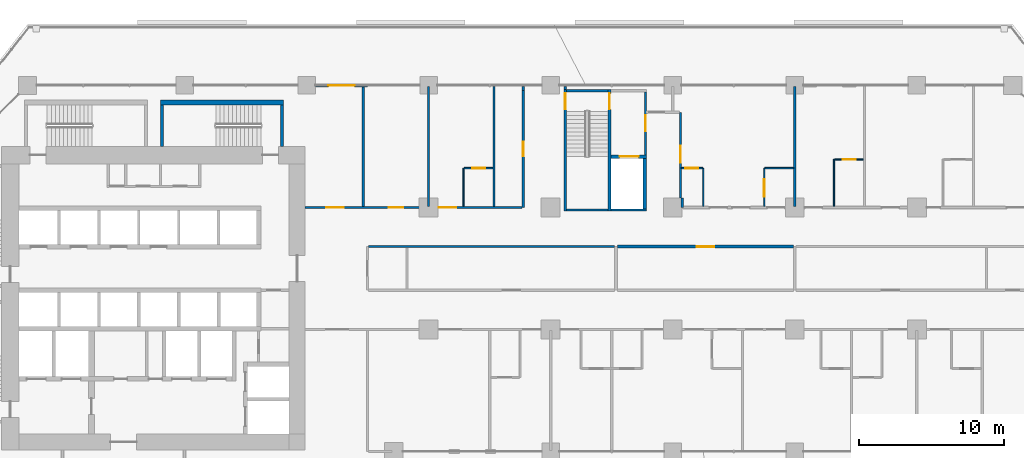
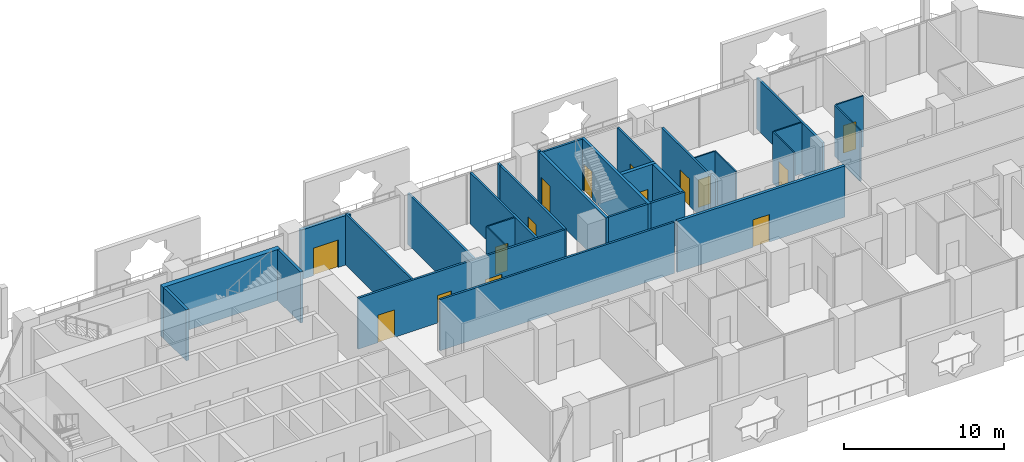
# One storey, part 18 of 26: 32 walls, 15 doors, 15 openings.
"""IFC4 building model written with IfcOpenShell, lengths in metres."""

from ifc_helpers import new_model, si_unit, direction, frame, frame_2d, origin, place, context, subcontext, project, spatial, rectangle, extrude, material, layer, layer_set, type_object, element, fill, save


model = new_model("IFC4")

# Units and contexts
model_context = context("Model", 3, precision=1e-05, world=origin(), true_north=direction((0.0, 1.0)))
body_context = subcontext(model_context, "Body", "Model", "MODEL_VIEW")
ifc_project = project(units=[si_unit("LENGTHUNIT", "METRE"), si_unit("AREAUNIT", "SQUARE_METRE"), si_unit("VOLUMEUNIT", "CUBIC_METRE"), si_unit("PLANEANGLEUNIT", "RADIAN"), si_unit("MASSUNIT", "GRAM", prefix="KILO")], contexts=[model_context])

# Site, building, storey
site_placement = place(None, origin())
site = spatial("IfcSite", under=ifc_project, at=site_placement, CompositionType="ELEMENT")
building_placement = place(site_placement, origin())
building = spatial("IfcBuilding", under=site, at=building_placement, Name="Kawkab Arch Medical Tower", CompositionType="ELEMENT")
storey_placement = place(building_placement, frame((0.0, 0.0, 51.800048828125)))
storey = spatial("IfcBuildingStorey", under=building, at=storey_placement, Name="L11", CompositionType="ELEMENT", Elevation=51.800048828125)

# Wall, opening, door
ifc_material_1 = material(Name="Gypsum board on steel studs", Category="steel")
ifc_layer_1 = layer(ifc_material_1, 0.14990234375)
ifc_layer_set_1 = layer_set([ifc_layer_1], Name="Gypsum board on steel studs")
wall_type_1 = type_object("IfcWallType", Name="Core room partition 150", PredefinedType="PARTITIONING", material=ifc_layer_set_1)
wall_1_placement = place(storey_placement, frame((48.52490234375, -4.77490234375, 0.0), z_axis=(0.0, 0.0, 1.0), x_axis=(0.0, 1.0, 0.0)))
wall_1 = element("IfcWall", 1, at=wall_1_placement, inside=storey, type_object=wall_type_1, Name="L11 core room partition", PredefinedType="PARTITIONING", context=body_context, shape_type="SweptSolid", body=[
    extrude(rectangle(XDim=4.324951171875, YDim=0.14990234375, at=frame_2d((2.16259765625, 0.0))), origin(), (0.0, 0.0, 1.0), 3.89990234375),
])
opening_1_placement = place(wall_1_placement, frame((1.625, 0.0, 0.0)))
opening_1 = element("IfcOpeningElement", 2, at=opening_1_placement, cuts=wall_1, Name="Opening FD", PredefinedType="OPENING", context=body_context, shape_type="SweptSolid", body=[
    extrude(rectangle(XDim=1.10009765625, YDim=2.10009765625, at=frame_2d((0.550048828125, 1.050048828125))), frame((0.0, 0.0849609375, 0.0), z_axis=(0.0, -1.0, 0.0), x_axis=(1.0, 0.0, 0.0)), (0.0, 0.0, 1.0), 0.169921875),
])
ifc_material_2 = material(Name="Hollow metal fire door leaf")
door_type_1 = type_object("IfcDoorType", Name="Firefighting lobby door 1100", OperationType="SINGLE_SWING_LEFT", PredefinedType="DOOR", material=ifc_material_2)
door_1_placement = place(opening_1_placement, origin())
door_1 = element("IfcDoor", 3, at=door_1_placement, inside=storey, type_object=door_type_1, Name="L11 Service lift lobby door SV1", OperationType="SINGLE_SWING_LEFT", OverallHeight=2.10009765625, OverallWidth=1.10009765625, PredefinedType="DOOR", context=body_context, shape_type="SweptSolid", body=[
    extrude(rectangle(XDim=1.10009765625, YDim=2.10009765625, at=frame_2d((0.550048828125, 1.050048828125))), frame((0.0, 0.02490234375, 0.0), z_axis=(0.0, -1.0, 0.0), x_axis=(1.0, 0.0, 0.0)), (0.0, 0.0, 1.0), 0.050048828125),
])
fill(opening_1, door_1)

ifc_material_3 = material(Name="Concrete C60/75", Category="concrete")
ifc_layer_2 = layer(ifc_material_3, 0.25)
ifc_layer_set_2 = layer_set([ifc_layer_2], Name="Concrete C60/75")
wall_type_2 = type_object("IfcWallType", Name="Core shear wall 250 C60/75", PredefinedType="SHEAR", material=ifc_layer_set_2)
wall_2_placement = place(storey_placement, frame((46.14990234375, -4.89990234375, 0.0), z_axis=(0.0, 0.0, 1.0), x_axis=(1.0, 0.0, 0.0)))
wall_2 = element("IfcWall", 4, at=wall_2_placement, inside=storey, type_object=wall_type_2, Name="L11 core shear wall", PredefinedType="SHEAR", context=body_context, shape_type="SweptSolid", body=[
    extrude(rectangle(XDim=2.4501953125, YDim=0.25, at=frame_2d((1.22509765625, 0.0))), origin(), (0.0, 0.0, 1.0), 3.89990234375),
])
opening_2_placement = place(wall_2_placement, frame((0.60009765625, 0.0, 0.0)))
opening_2 = element("IfcOpeningElement", 5, at=opening_2_placement, cuts=wall_2, Name="Opening LD2", PredefinedType="OPENING", context=body_context, shape_type="SweptSolid", body=[
    extrude(rectangle(XDim=1.300048828125, YDim=2.10009765625, at=frame_2d((0.64990234375, 1.050048828125))), frame((0.0, 0.135009765625, 0.0), z_axis=(0.0, -1.0, 0.0), x_axis=(1.0, 0.0, 0.0)), (0.0, 0.0, 1.0), 0.27001953125),
])
ifc_material_4 = material(Name="Stainless steel lift door leaf", Category="steel")
door_type_2 = type_object("IfcDoorType", Name="Lift landing door 1300", OperationType="DOUBLE_DOOR_SLIDING", PredefinedType="DOOR", material=ifc_material_4)
door_2_placement = place(opening_2_placement, origin())
door_2 = element("IfcDoor", 6, at=door_2_placement, inside=storey, type_object=door_type_2, Name="L11 Lift landing door SV1", OperationType="DOUBLE_DOOR_SLIDING", OverallHeight=2.10009765625, OverallWidth=1.300048828125, PredefinedType="DOOR", context=body_context, shape_type="SweptSolid", body=[
    extrude(rectangle(XDim=1.300048828125, YDim=2.10009765625, at=frame_2d((0.64990234375, 1.050048828125))), frame((0.0, 0.02490234375, 0.0), z_axis=(0.0, -1.0, 0.0), x_axis=(1.0, 0.0, 0.0)), (0.0, 0.0, 1.0), 0.050048828125),
])
fill(opening_2, door_2)

# Wall
wall_3_placement = place(storey_placement, frame((48.47509765625, -8.5, 0.0), z_axis=(0.0, 0.0, 1.0), x_axis=(0.0, 1.0, 0.0)))
element("IfcWall", 7, at=wall_3_placement, inside=storey, type_object=wall_type_2, Name="L11 core shear wall", PredefinedType="SHEAR", context=body_context, shape_type="SweptSolid", body=[
    extrude(rectangle(XDim=3.47509765625, YDim=0.25, at=frame_2d((1.737548828125, 0.0))), origin(), (0.0, 0.0, 1.0), 3.89990234375),
])

# Wall, opening, door
ifc_material_5 = material(Name="Bronze clad insulated wall panel")
ifc_layer_3 = layer(ifc_material_5, 0.25)
ifc_layer_set_3 = layer_set([ifc_layer_3], Name="Bronze clad insulated wall panel")
wall_type_3 = type_object("IfcWallType", Name="External wall bay 250", PredefinedType="SOLIDWALL", material=ifc_layer_set_3)
wall_4_placement = place(storey_placement, frame((29.39990234375, 0.0, 0.0), z_axis=(0.0, 0.0, 1.0), x_axis=(-1.0, 0.0, 0.0)))
wall_4 = element("IfcWall", 8, at=wall_4_placement, inside=storey, type_object=wall_type_3, Name="External wall bay L11.R11.6.2", PredefinedType="SOLIDWALL", context=body_context, shape_type="SweptSolid", body=[
    extrude(rectangle(XDim=3.599853515625, YDim=0.25, at=frame_2d((1.7998046875, 0.0))), origin(), (0.0, 0.0, 1.0), 3.780029296875),
])
opening_3_placement = place(wall_4_placement, frame((0.89990234375, 0.0, 0.0)))
opening_3 = element("IfcOpeningElement", 9, at=opening_3_placement, cuts=wall_4, Name="Opening W11-701", PredefinedType="OPENING", context=body_context, shape_type="SweptSolid", body=[
    extrude(rectangle(XDim=1.800048828125, YDim=2.10009765625, at=frame_2d((0.89990234375, 1.050048828125))), frame((0.0, 0.135009765625, 0.0), z_axis=(0.0, -1.0, 0.0), x_axis=(1.0, 0.0, 0.0)), (0.0, 0.0, 1.0), 0.27001953125),
])
ifc_material_6 = material(Name="Bronze anodised aluminium door with tinted glass", Category="aluminium")
door_type_3 = type_object("IfcDoorType", Name="Double external door 1800 x 2100", OperationType="DOUBLE_DOOR_SINGLE_SWING", PredefinedType="DOOR", material=ifc_material_6)
door_3_placement = place(opening_3_placement, origin())
door_3 = element("IfcDoor", 10, at=door_3_placement, inside=storey, type_object=door_type_3, Name="External door L11.R11.6.2", OperationType="DOUBLE_DOOR_SINGLE_SWING", OverallHeight=2.10009765625, OverallWidth=1.800048828125, PredefinedType="DOOR", context=body_context, shape_type="SweptSolid", body=[
    extrude(rectangle(XDim=1.800048828125, YDim=2.10009765625, at=frame_2d((0.89990234375, 1.050048828125))), frame((0.0, 0.02490234375, 0.0), z_axis=(0.0, -1.0, 0.0), x_axis=(1.0, 0.0, 0.0)), (0.0, 0.0, 1.0), 0.050048828125),
])
fill(opening_3, door_3)

ifc_material_7 = material(Name="Gypsum board partition on steel studs", Category="steel")
ifc_layer_4 = layer(ifc_material_7, 0.10009765625)
ifc_layer_set_4 = layer_set([ifc_layer_4], Name="Gypsum board partition on steel studs")
wall_type_4 = type_object("IfcWallType", Name="Partition 100", PredefinedType="PARTITIONING", material=ifc_layer_set_4)
wall_5_placement = place(storey_placement, frame((36.050048828125, -5.699951171875, 0.0), z_axis=(0.0, 0.0, 1.0), x_axis=(1.0, 0.0, 0.0)))
wall_5 = element("IfcWall", 11, at=wall_5_placement, inside=storey, type_object=wall_type_4, Name="Partition 100 w016", PredefinedType="PARTITIONING", context=body_context, shape_type="SweptSolid", body=[
    extrude(rectangle(XDim=1.974853515625, YDim=0.10009765625, at=frame_2d((0.9873046875, 0.0))), origin(), (0.0, 0.0, 1.0), 3.89990234375),
])
opening_4_placement = place(wall_5_placement, frame((0.550048828125, 0.0, 0.0)))
opening_4 = element("IfcOpeningElement", 12, at=opening_4_placement, cuts=wall_5, Name="Opening W11-006", PredefinedType="OPENING", context=body_context, shape_type="SweptSolid", body=[
    extrude(rectangle(XDim=0.89990234375, YDim=2.10009765625, at=frame_2d((0.449951171875, 1.050048828125))), frame((0.0, 0.06005859375, 0.0), z_axis=(0.0, -1.0, 0.0), x_axis=(1.0, 0.0, 0.0)), (0.0, 0.0, 1.0), 0.1201171875),
])
ifc_material_8 = material(Name="Timber door leaf", Category="wood")
door_type_4 = type_object("IfcDoorType", Name="Single door 900x2100", OperationType="NOTDEFINED", PredefinedType="DOOR", material=ifc_material_8)
door_4_placement = place(opening_4_placement, origin())
door_4 = element("IfcDoor", 13, at=door_4_placement, inside=storey, type_object=door_type_4, Name="Door W11-006", OperationType="SINGLE_SWING_LEFT", OverallHeight=2.10009765625, OverallWidth=0.89990234375, PredefinedType="DOOR", context=body_context, shape_type="SweptSolid", body=[
    extrude(rectangle(XDim=0.89990234375, YDim=2.10009765625, at=frame_2d((0.449951171875, 1.050048828125))), frame((0.0, 0.02490234375, 0.0), z_axis=(0.0, -1.0, 0.0), x_axis=(1.0, 0.0, 0.0)), (0.0, 0.0, 1.0), 0.050048828125),
])
fill(opening_4, door_4)

wall_6_placement = place(storey_placement, frame((51.0, -5.699951171875, 0.0), z_axis=(0.0, 0.0, 1.0), x_axis=(1.0, 0.0, 0.0)))
wall_6 = element("IfcWall", 14, at=wall_6_placement, inside=storey, type_object=wall_type_4, Name="Partition 100 w017", PredefinedType="PARTITIONING", context=body_context, shape_type="SweptSolid", body=[
    extrude(rectangle(XDim=1.449951171875, YDim=0.10009765625, at=frame_2d((0.72509765625, 0.0))), origin(), (0.0, 0.0, 1.0), 3.89990234375),
])
opening_5_placement = place(wall_6_placement, frame((0.261962890625, 0.0, 0.0)))
opening_5 = element("IfcOpeningElement", 15, at=opening_5_placement, cuts=wall_6, Name="Opening W11-007", PredefinedType="OPENING", context=body_context, shape_type="SweptSolid", body=[
    extrude(rectangle(XDim=0.89990234375, YDim=2.10009765625, at=frame_2d((0.449951171875, 1.050048828125))), frame((0.0, 0.06005859375, 0.0), z_axis=(0.0, -1.0, 0.0), x_axis=(1.0, 0.0, 0.0)), (0.0, 0.0, 1.0), 0.1201171875),
])
door_5_placement = place(opening_5_placement, origin())
door_5 = element("IfcDoor", 16, at=door_5_placement, inside=storey, type_object=door_type_4, Name="Door W11-007", OperationType="SINGLE_SWING_LEFT", OverallHeight=2.10009765625, OverallWidth=0.89990234375, PredefinedType="DOOR", context=body_context, shape_type="SweptSolid", body=[
    extrude(rectangle(XDim=0.89990234375, YDim=2.10009765625, at=frame_2d((0.449951171875, 1.050048828125))), frame((0.0, 0.02490234375, 0.0), z_axis=(0.0, -1.0, 0.0), x_axis=(1.0, 0.0, 0.0)), (0.0, 0.0, 1.0), 0.050048828125),
])
fill(opening_5, door_5)

# Wall
wall_7_placement = place(storey_placement, frame((56.75, -5.699951171875, 0.0), z_axis=(0.0, 0.0, 1.0), x_axis=(1.0, 0.0, 0.0)))
element("IfcWall", 17, at=wall_7_placement, inside=storey, type_object=wall_type_4, Name="Partition 100 w018", PredefinedType="PARTITIONING", context=body_context, shape_type="SweptSolid", body=[
    extrude(rectangle(XDim=1.97509765625, YDim=0.10009765625, at=frame_2d((0.987548828125, 0.0))), origin(), (0.0, 0.0, 1.0), 3.89990234375),
])

# Wall, opening, door
wall_8_placement = place(storey_placement, frame((61.550048828125, -5.10009765625, 0.0), z_axis=(0.0, 0.0, 1.0), x_axis=(1.0, 0.0, 0.0)))
wall_8 = element("IfcWall", 18, at=wall_8_placement, inside=storey, type_object=wall_type_4, Name="Partition 100 w019", PredefinedType="PARTITIONING", context=body_context, shape_type="SweptSolid", body=[
    extrude(rectangle(XDim=1.974853515625, YDim=0.10009765625, at=frame_2d((0.9873046875, 0.0))), origin(), (0.0, 0.0, 1.0), 3.89990234375),
])
opening_6_placement = place(wall_8_placement, frame((0.550048828125, 0.0, 0.0)))
opening_6 = element("IfcOpeningElement", 19, at=opening_6_placement, cuts=wall_8, Name="Opening W11-008", PredefinedType="OPENING", context=body_context, shape_type="SweptSolid", body=[
    extrude(rectangle(XDim=0.89990234375, YDim=2.10009765625, at=frame_2d((0.449951171875, 1.050048828125))), frame((0.0, 0.06005859375, 0.0), z_axis=(0.0, -1.0, 0.0), x_axis=(1.0, 0.0, 0.0)), (0.0, 0.0, 1.0), 0.1201171875),
])
door_6_placement = place(opening_6_placement, origin())
door_6 = element("IfcDoor", 20, at=door_6_placement, inside=storey, type_object=door_type_4, Name="Door W11-008", OperationType="SINGLE_SWING_LEFT", OverallHeight=2.10009765625, OverallWidth=0.89990234375, PredefinedType="DOOR", context=body_context, shape_type="SweptSolid", body=[
    extrude(rectangle(XDim=0.89990234375, YDim=2.10009765625, at=frame_2d((0.449951171875, 1.050048828125))), frame((0.0, 0.02490234375, 0.0), z_axis=(0.0, -1.0, 0.0), x_axis=(1.0, 0.0, 0.0)), (0.0, 0.0, 1.0), 0.050048828125),
])
fill(opening_6, door_6)

# Walls
for number, where, z_axis, x_axis, name in (
    (21, (36.0, -8.324951171875, 0.0), (0.0, 0.0, 1.0), (0.0, 1.0, 0.0), "Partition 100 w027"),
    (22, (52.5, -8.324951171875, 0.0), (0.0, 0.0, 1.0), (0.0, 1.0, 0.0), "Partition 100 w031"),
):
    element("IfcWall", number, at=place(storey_placement, frame(where, z_axis=z_axis, x_axis=x_axis)), inside=storey, type_object=wall_type_4, Name=name, PredefinedType="PARTITIONING", context=body_context, shape_type="SweptSolid", body=[
        extrude(rectangle(XDim=2.625, YDim=0.10009765625, at=frame_2d((1.3125, 0.0))), origin(), (0.0, 0.0, 1.0), 3.89990234375),
    ])

# Wall, opening, door
wall_9_placement = place(storey_placement, frame((56.699951171875, -8.324951171875, 0.0), z_axis=(0.0, 0.0, 1.0), x_axis=(0.0, 1.0, 0.0)))
wall_9 = element("IfcWall", 23, at=wall_9_placement, inside=storey, type_object=wall_type_4, Name="Partition 100 w033", PredefinedType="PARTITIONING", context=body_context, shape_type="SweptSolid", body=[
    extrude(rectangle(XDim=2.625, YDim=0.10009765625, at=frame_2d((1.3125, 0.0))), origin(), (0.0, 0.0, 1.0), 3.89990234375),
])
opening_7_placement = place(wall_9_placement, frame((0.675048828125, 0.0, 0.0)))
opening_7 = element("IfcOpeningElement", 24, at=opening_7_placement, cuts=wall_9, Name="Opening W11-048", PredefinedType="OPENING", context=body_context, shape_type="SweptSolid", body=[
    extrude(rectangle(XDim=1.199951171875, YDim=2.10009765625, at=frame_2d((0.60009765625, 1.050048828125))), frame((0.0, 0.06005859375, 0.0), z_axis=(0.0, -1.0, 0.0), x_axis=(1.0, 0.0, 0.0)), (0.0, 0.0, 1.0), 0.1201171875),
])
ifc_material_9 = material(Name="Timber door leaf", Category="wood")
door_type_5 = type_object("IfcDoorType", Name="Single door 1200x2100", OperationType="NOTDEFINED", PredefinedType="DOOR", material=ifc_material_9)
door_7_placement = place(opening_7_placement, origin())
door_7 = element("IfcDoor", 25, at=door_7_placement, inside=storey, type_object=door_type_5, Name="Door W11-048", OperationType="SINGLE_SWING_RIGHT", OverallHeight=2.10009765625, OverallWidth=1.199951171875, PredefinedType="DOOR", context=body_context, shape_type="SweptSolid", body=[
    extrude(rectangle(XDim=1.199951171875, YDim=2.10009765625, at=frame_2d((0.60009765625, 1.050048828125))), frame((0.0, 0.02490234375, 0.0), z_axis=(0.0, -1.0, 0.0), x_axis=(1.0, 0.0, 0.0)), (0.0, 0.0, 1.0), 0.050048828125),
])
fill(opening_7, door_7)

# Walls
wall_10_placement = place(storey_placement, frame((61.5, -8.324951171875, 0.0), z_axis=(0.0, 0.0, 1.0), x_axis=(0.0, 1.0, 0.0)))
element("IfcWall", 26, at=wall_10_placement, inside=storey, type_object=wall_type_4, Name="Partition 100 w035", PredefinedType="PARTITIONING", context=body_context, shape_type="SweptSolid", body=[
    extrude(rectangle(XDim=3.224853515625, YDim=0.10009765625, at=frame_2d((1.6123046875, 0.0))), origin(), (0.0, 0.0, 1.0), 3.89990234375),
])
ifc_material_10 = material(Name="Gypsum board partition on steel studs, mineral wool", Category="steel")
ifc_layer_5 = layer(ifc_material_10, 0.14990234375)
ifc_layer_set_5 = layer_set([ifc_layer_5], Name="Gypsum board partition on steel studs, mineral wool")
wall_type_5 = type_object("IfcWallType", Name="Partition 150", PredefinedType="PARTITIONING", material=ifc_layer_set_5)
wall_11_placement = place(storey_placement, frame((29.47509765625, -11.10009765625, 0.0), z_axis=(0.0, 0.0, 1.0), x_axis=(1.0, 0.0, 0.0)))
element("IfcWall", 27, at=wall_11_placement, inside=storey, type_object=wall_type_5, Name="Partition 150 w065", PredefinedType="PARTITIONING", context=body_context, shape_type="SweptSolid", body=[
    extrude(rectangle(XDim=16.9248046875, YDim=0.14990234375, at=frame_2d((8.46240234375, 0.0))), origin(), (0.0, 0.0, 1.0), 3.89990234375),
])

# Wall, openings, doors
wall_12_placement = place(storey_placement, frame((25.10009765625, -8.39990234375, 0.0), z_axis=(0.0, 0.0, 1.0), x_axis=(1.0, 0.0, 0.0)))
wall_12 = element("IfcWall", 28, at=wall_12_placement, inside=storey, type_object=wall_type_5, Name="Partition 150 w068", PredefinedType="PARTITIONING", context=body_context, shape_type="SweptSolid", body=[
    extrude(rectangle(XDim=14.931884765625, YDim=0.14990234375, at=frame_2d((7.4658203125, 0.0))), origin(), (0.0, 0.0, 1.0), 3.89990234375),
])
opening_8_placement = place(wall_12_placement, frame((1.449951171875, 0.0, 0.0)))
opening_8 = element("IfcOpeningElement", 29, at=opening_8_placement, cuts=wall_12, Name="Opening W11-042", PredefinedType="OPENING", context=body_context, shape_type="SweptSolid", body=[
    extrude(rectangle(XDim=1.199951171875, YDim=2.10009765625, at=frame_2d((0.60009765625, 1.050048828125))), frame((0.0, 0.0849609375, 0.0), z_axis=(0.0, -1.0, 0.0), x_axis=(1.0, 0.0, 0.0)), (0.0, 0.0, 1.0), 0.169921875),
])
opening_9_placement = place(wall_12_placement, frame((5.75, 0.0, 0.0)))
opening_9 = element("IfcOpeningElement", 30, at=opening_9_placement, cuts=wall_12, Name="Opening W11-029", PredefinedType="OPENING", context=body_context, shape_type="SweptSolid", body=[
    extrude(rectangle(XDim=1.0, YDim=2.10009765625, at=frame_2d((0.5, 1.050048828125))), frame((0.0, 0.0849609375, 0.0), z_axis=(0.0, -1.0, 0.0), x_axis=(1.0, 0.0, 0.0)), (0.0, 0.0, 1.0), 0.169921875),
])
opening_10_placement = place(wall_12_placement, frame((9.199951171875, 0.0, 0.0)))
opening_10 = element("IfcOpeningElement", 31, at=opening_10_placement, cuts=wall_12, Name="Opening W11-043", PredefinedType="OPENING", context=body_context, shape_type="SweptSolid", body=[
    extrude(rectangle(XDim=1.199951171875, YDim=2.10009765625, at=frame_2d((0.60009765625, 1.050048828125))), frame((0.0, 0.0849609375, 0.0), z_axis=(0.0, -1.0, 0.0), x_axis=(1.0, 0.0, 0.0)), (0.0, 0.0, 1.0), 0.169921875),
])
ifc_material_11 = material(Name="Hollow metal door leaf")
door_type_6 = type_object("IfcDoorType", Name="Single door 1000x2100 FD30S", OperationType="NOTDEFINED", PredefinedType="DOOR", material=ifc_material_11)
door_8_placement = place(opening_9_placement, origin())
door_8 = element("IfcDoor", 32, at=door_8_placement, inside=storey, type_object=door_type_6, Name="Door W11-029", OperationType="SINGLE_SWING_LEFT", OverallHeight=2.10009765625, OverallWidth=1.0, PredefinedType="DOOR", context=body_context, shape_type="SweptSolid", body=[
    extrude(rectangle(XDim=1.0, YDim=2.10009765625, at=frame_2d((0.5, 1.050048828125))), frame((0.0, 0.02490234375, 0.0), z_axis=(0.0, -1.0, 0.0), x_axis=(1.0, 0.0, 0.0)), (0.0, 0.0, 1.0), 0.050048828125),
])
fill(opening_9, door_8)
ifc_material_12 = material(Name="Hollow metal door leaf")
door_type_7 = type_object("IfcDoorType", Name="Single door 1200x2100 FD30S", OperationType="NOTDEFINED", PredefinedType="DOOR", material=ifc_material_12)
door_9_placement = place(opening_8_placement, origin())
door_9 = element("IfcDoor", 33, at=door_9_placement, inside=storey, type_object=door_type_7, Name="Door W11-042", OperationType="SINGLE_SWING_LEFT", OverallHeight=2.10009765625, OverallWidth=1.199951171875, PredefinedType="DOOR", context=body_context, shape_type="SweptSolid", body=[
    extrude(rectangle(XDim=1.199951171875, YDim=2.10009765625, at=frame_2d((0.60009765625, 1.050048828125))), frame((0.0, 0.02490234375, 0.0), z_axis=(0.0, -1.0, 0.0), x_axis=(1.0, 0.0, 0.0)), (0.0, 0.0, 1.0), 0.050048828125),
])
fill(opening_8, door_9)
door_10_placement = place(opening_10_placement, origin())
door_10 = element("IfcDoor", 34, at=door_10_placement, inside=storey, type_object=door_type_7, Name="Door W11-043", OperationType="SINGLE_SWING_RIGHT", OverallHeight=2.10009765625, OverallWidth=1.199951171875, PredefinedType="DOOR", context=body_context, shape_type="SweptSolid", body=[
    extrude(rectangle(XDim=1.199951171875, YDim=2.10009765625, at=frame_2d((0.60009765625, 1.050048828125))), frame((0.0, 0.02490234375, 0.0), z_axis=(0.0, -1.0, 0.0), x_axis=(1.0, 0.0, 0.0)), (0.0, 0.0, 1.0), 0.050048828125),
])
fill(opening_10, door_10)

# Walls
for number, where, z_axis, x_axis, name in (
    (35, (29.10009765625, -8.324951171875, 0.0), (0.0, 0.0, 1.0), (0.0, 1.0, 0.0), "Partition 150 w079"),
    (36, (33.60009765625, -8.324951171875, 0.0), (0.0, 0.0, 1.0), (0.0, 1.0, 0.0), "Partition 150 w083"),
    (37, (38.10009765625, -8.324951171875, 0.0), (0.0, 0.0, 1.0), (0.0, 1.0, 0.0), "Partition 150 w085"),
):
    element("IfcWall", number, at=place(storey_placement, frame(where, z_axis=z_axis, x_axis=x_axis)), inside=storey, type_object=wall_type_5, Name=name, PredefinedType="PARTITIONING", context=body_context, shape_type="SweptSolid", body=[
        extrude(rectangle(XDim=8.244873046875, YDim=0.14990234375, at=frame_2d((4.12255859375, 0.0))), origin(), (0.0, 0.0, 1.0), 3.89990234375),
    ])

# Wall, opening, door
wall_13_placement = place(storey_placement, frame((40.10693359375, -8.39990234375, 0.0), z_axis=(0.0, 0.0, 1.0), x_axis=(0.0, 1.0, 0.0)))
wall_13 = element("IfcWall", 38, at=wall_13_placement, inside=storey, type_object=wall_type_5, Name="Partition 150 w086", PredefinedType="PARTITIONING", context=body_context, shape_type="SweptSolid", body=[
    extrude(rectangle(XDim=8.0478515625, YDim=0.14990234375, at=frame_2d((4.02392578125, 0.0))), origin(), (0.0, 0.0, 1.0), 3.89990234375),
])
opening_11_placement = place(wall_13_placement, frame((3.52392578125, 0.0, 0.0)))
opening_11 = element("IfcOpeningElement", 39, at=opening_11_placement, cuts=wall_13, Name="Opening W11-030", PredefinedType="OPENING", context=body_context, shape_type="SweptSolid", body=[
    extrude(rectangle(XDim=1.0, YDim=2.10009765625, at=frame_2d((0.5, 1.050048828125))), frame((0.0, 0.0849609375, 0.0), z_axis=(0.0, -1.0, 0.0), x_axis=(1.0, 0.0, 0.0)), (0.0, 0.0, 1.0), 0.169921875),
])
door_11_placement = place(opening_11_placement, origin())
door_11 = element("IfcDoor", 40, at=door_11_placement, inside=storey, type_object=door_type_6, Name="Door W11-030", OperationType="SINGLE_SWING_RIGHT", OverallHeight=2.10009765625, OverallWidth=1.0, PredefinedType="DOOR", context=body_context, shape_type="SweptSolid", body=[
    extrude(rectangle(XDim=1.0, YDim=2.10009765625, at=frame_2d((0.5, 1.050048828125))), frame((0.0, 0.02490234375, 0.0), z_axis=(0.0, -1.0, 0.0), x_axis=(1.0, 0.0, 0.0)), (0.0, 0.0, 1.0), 0.050048828125),
])
fill(opening_11, door_11)

# Walls
wall_14_placement = place(storey_placement, frame((40.10693359375, -0.35009765625, 0.0), z_axis=(0.0, 0.0, 1.0), x_axis=(0.0, 1.0, 0.0)))
element("IfcWall", 41, at=wall_14_placement, inside=storey, type_object=wall_type_5, Name="Partition 150 w087", PredefinedType="PARTITIONING", context=body_context, shape_type="SweptSolid", body=[
    extrude(rectangle(XDim=0.27001953125, YDim=0.14990234375, at=frame_2d((0.135009765625, 0.0))), origin(), (0.0, 0.0, 1.0), 3.89990234375),
])
wall_15_placement = place(storey_placement, frame((43.0, -0.27001953125, 0.0), z_axis=(0.0, 0.0, 1.0), x_axis=(0.0, 1.0, 0.0)))
element("IfcWall", 42, at=wall_15_placement, inside=storey, type_object=wall_type_5, Name="Partition 150 w089", PredefinedType="PARTITIONING", context=body_context, shape_type="SweptSolid", body=[
    extrude(rectangle(XDim=0.18994140625, YDim=0.14990234375, at=frame_2d((0.094970703125, 0.0))), origin(), (0.0, 0.0, 1.0), 3.89990234375),
])

# Wall, opening, door
wall_16_placement = place(storey_placement, frame((50.925048828125, -7.748046875, 0.0), z_axis=(0.0, 0.0, 1.0), x_axis=(0.0, 1.0, 0.0)))
wall_16 = element("IfcWall", 43, at=wall_16_placement, inside=storey, type_object=wall_type_5, Name="Partition 150 w092", PredefinedType="PARTITIONING", context=body_context, shape_type="SweptSolid", body=[
    extrude(rectangle(XDim=5.89794921875, YDim=0.14990234375, at=frame_2d((2.948974609375, 0.0))), origin(), (0.0, 0.0, 1.0), 3.89990234375),
])
opening_12_placement = place(wall_16_placement, frame((2.409912109375, 0.0, 0.0)))
opening_12 = element("IfcOpeningElement", 44, at=opening_12_placement, cuts=wall_16, Name="Opening W11-046", PredefinedType="OPENING", context=body_context, shape_type="SweptSolid", body=[
    extrude(rectangle(XDim=1.199951171875, YDim=2.10009765625, at=frame_2d((0.60009765625, 1.050048828125))), frame((0.0, 0.0849609375, 0.0), z_axis=(0.0, -1.0, 0.0), x_axis=(1.0, 0.0, 0.0)), (0.0, 0.0, 1.0), 0.169921875),
])
door_12_placement = place(opening_12_placement, origin())
door_12 = element("IfcDoor", 45, at=door_12_placement, inside=storey, type_object=door_type_7, Name="Door W11-046", OperationType="SINGLE_SWING_LEFT", OverallHeight=2.10009765625, OverallWidth=1.199951171875, PredefinedType="DOOR", context=body_context, shape_type="SweptSolid", body=[
    extrude(rectangle(XDim=1.199951171875, YDim=2.10009765625, at=frame_2d((0.60009765625, 1.050048828125))), frame((0.0, 0.02490234375, 0.0), z_axis=(0.0, -1.0, 0.0), x_axis=(1.0, 0.0, 0.0)), (0.0, 0.0, 1.0), 0.050048828125),
])
fill(opening_12, door_12)

# Walls
wall_17_placement = place(storey_placement, frame((51.050048828125, -8.39990234375, 0.0), z_axis=(0.0, 0.0, 1.0), x_axis=(0.0, 1.0, 0.0)))
element("IfcWall", 46, at=wall_17_placement, inside=storey, type_object=wall_type_5, Name="Partition 150 w093", PredefinedType="PARTITIONING", context=body_context, shape_type="SweptSolid", body=[
    extrude(rectangle(XDim=0.64990234375, YDim=0.14990234375, at=frame_2d((0.324951171875, 0.0))), origin(), (0.0, 0.0, 1.0), 3.89990234375),
])
wall_18_placement = place(storey_placement, frame((58.800048828125, -8.324951171875, 0.0), z_axis=(0.0, 0.0, 1.0), x_axis=(0.0, 1.0, 0.0)))
element("IfcWall", 47, at=wall_18_placement, inside=storey, type_object=wall_type_5, Name="Partition 150 w095", PredefinedType="PARTITIONING", context=body_context, shape_type="SweptSolid", body=[
    extrude(rectangle(XDim=8.244873046875, YDim=0.14990234375, at=frame_2d((4.12255859375, 0.0))), origin(), (0.0, 0.0, 1.0), 3.89990234375),
])

# Wall, opening, door
ifc_material_13 = material(Name="Fire-rated gypsum board partition on steel studs", Category="steel")
ifc_layer_6 = layer(ifc_material_13, 0.199951171875)
ifc_layer_set_6 = layer_set([ifc_layer_6], Name="Fire-rated gypsum board partition on steel studs")
wall_type_6 = type_object("IfcWallType", Name="Protected partition 200", PredefinedType="PARTITIONING", material=ifc_layer_set_6)
wall_19_placement = place(storey_placement, frame((46.60009765625, -11.10009765625, 0.0), z_axis=(0.0, 0.0, 1.0), x_axis=(1.0, 0.0, 0.0)))
wall_19 = element("IfcWall", 48, at=wall_19_placement, inside=storey, type_object=wall_type_6, Name="Protected partition 200 w105", PredefinedType="PARTITIONING", context=body_context, shape_type="SweptSolid", body=[
    extrude(rectangle(XDim=12.099853515625, YDim=0.199951171875, at=frame_2d((6.0498046875, 0.0))), origin(), (0.0, 0.0, 1.0), 3.89990234375),
])
opening_13_placement = place(wall_19_placement, frame((5.449951171875, 0.0, 0.0)))
opening_13 = element("IfcOpeningElement", 49, at=opening_13_placement, cuts=wall_19, Name="Opening W11-074", PredefinedType="OPENING", context=body_context, shape_type="SweptSolid", body=[
    extrude(rectangle(XDim=1.199951171875, YDim=2.10009765625, at=frame_2d((0.60009765625, 1.050048828125))), frame((0.0, 0.10986328125, 0.0), z_axis=(0.0, -1.0, 0.0), x_axis=(1.0, 0.0, 0.0)), (0.0, 0.0, 1.0), 0.219970703125),
])
ifc_material_14 = material(Name="Hollow metal door leaf")
door_type_8 = type_object("IfcDoorType", Name="Single door 1200x2100 FD60", OperationType="NOTDEFINED", PredefinedType="DOOR", material=ifc_material_14)
door_13_placement = place(opening_13_placement, origin())
door_13 = element("IfcDoor", 50, at=door_13_placement, inside=storey, type_object=door_type_8, Name="Door W11-074", OperationType="SINGLE_SWING_RIGHT", OverallHeight=2.10009765625, OverallWidth=1.199951171875, PredefinedType="DOOR", context=body_context, shape_type="SweptSolid", body=[
    extrude(rectangle(XDim=1.199951171875, YDim=2.10009765625, at=frame_2d((0.60009765625, 1.050048828125))), frame((0.0, 0.02490234375, 0.0), z_axis=(0.0, -1.0, 0.0), x_axis=(1.0, 0.0, 0.0)), (0.0, 0.0, 1.0), 0.050048828125),
])
fill(opening_13, door_13)

# Walls
ifc_material_15 = material(Name="Concrete C50/60", Category="concrete")
ifc_layer_7 = layer(ifc_material_15, 0.14990234375)
ifc_layer_set_7 = layer_set([ifc_layer_7], Name="Concrete C50/60")
wall_type_7 = type_object("IfcWallType", Name="Stair enclosure wall 150 C50/60", PredefinedType="SHEAR", material=ifc_layer_set_7)
for number, where, z_axis, x_axis, name in (
    (51, (43.10009765625, -0.375, 0.0), (0.0, 0.0, 1.0), (1.0, 0.0, 0.0), "L11 stair enclosure wall"),
    (52, (43.10009765625, -8.574951171875, 0.0), (0.0, 0.0, 1.0), (1.0, 0.0, 0.0), "L11 stair enclosure wall"),
):
    element("IfcWall", number, at=place(storey_placement, frame(where, z_axis=z_axis, x_axis=x_axis)), inside=storey, type_object=wall_type_7, Name=name, PredefinedType="SHEAR", context=body_context, shape_type="SweptSolid", body=[
        extrude(rectangle(XDim=2.849853515625, YDim=0.14990234375, at=frame_2d((1.4248046875, 0.0))), origin(), (0.0, 0.0, 1.0), 3.89990234375),
    ])
wall_20_placement = place(storey_placement, frame((46.14990234375, -8.574951171875, 0.0), z_axis=(0.0, 0.0, 1.0), x_axis=(1.0, 0.0, 0.0)))
element("IfcWall", 53, at=wall_20_placement, inside=storey, type_object=wall_type_7, Name="L11 stair enclosure wall", PredefinedType="SHEAR", context=body_context, shape_type="SweptSolid", body=[
    extrude(rectangle(XDim=2.4501953125, YDim=0.14990234375, at=frame_2d((1.22509765625, 0.0))), origin(), (0.0, 0.0, 1.0), 3.89990234375),
])
ifc_material_16 = material(Name="Concrete C50/60", Category="concrete")
ifc_layer_8 = layer(ifc_material_16, 0.199951171875)
ifc_layer_set_8 = layer_set([ifc_layer_8], Name="Concrete C50/60")
wall_type_8 = type_object("IfcWallType", Name="Stair enclosure wall 200 C50/60", PredefinedType="SHEAR", material=ifc_layer_set_8)
for number, where, z_axis, x_axis, name in (
    (54, (15.25, -4.199951171875, 0.0), (0.0, 0.0, 1.0), (0.0, 1.0, 0.0), "L11 stair enclosure wall"),
    (55, (23.5, -4.199951171875, 0.0), (0.0, 0.0, 1.0), (0.0, 1.0, 0.0), "L11 stair enclosure wall"),
):
    element("IfcWall", number, at=place(storey_placement, frame(where, z_axis=z_axis, x_axis=x_axis)), inside=storey, type_object=wall_type_8, Name=name, PredefinedType="SHEAR", context=body_context, shape_type="SweptSolid", body=[
        extrude(rectangle(XDim=2.849853515625, YDim=0.199951171875, at=frame_2d((1.4248046875, 0.0))), origin(), (0.0, 0.0, 1.0), 3.89990234375),
    ])

# Wall, opening, door
wall_21_placement = place(storey_placement, frame((43.0, -8.64990234375, 0.0), z_axis=(0.0, 0.0, 1.0), x_axis=(0.0, 1.0, 0.0)))
wall_21 = element("IfcWall", 56, at=wall_21_placement, inside=storey, type_object=wall_type_8, Name="L11 stair enclosure wall", PredefinedType="SHEAR", context=body_context, shape_type="SweptSolid", body=[
    extrude(rectangle(XDim=8.349853515625, YDim=0.199951171875, at=frame_2d((4.1748046875, 0.0))), origin(), (0.0, 0.0, 1.0), 3.89990234375),
])
opening_14_placement = place(wall_21_placement, frame((7.0, 0.0, 0.0)))
opening_14 = element("IfcOpeningElement", 57, at=opening_14_placement, cuts=wall_21, Name="Opening SD", PredefinedType="OPENING", context=body_context, shape_type="SweptSolid", body=[
    extrude(rectangle(XDim=1.10009765625, YDim=2.10009765625, at=frame_2d((0.550048828125, 1.050048828125))), frame((0.0, 0.10986328125, 0.0), z_axis=(0.0, -1.0, 0.0), x_axis=(1.0, 0.0, 0.0)), (0.0, 0.0, 1.0), 0.219970703125),
])
ifc_material_17 = material(Name="Hollow metal fire door leaf")
door_type_9 = type_object("IfcDoorType", Name="Exit stair door 1100", OperationType="SINGLE_SWING_LEFT", PredefinedType="DOOR", material=ifc_material_17)
door_14_placement = place(opening_14_placement, frame((1.10009765625, 0.0, 0.0), z_axis=(0.0, 0.0, 1.0), x_axis=(-1.0, 0.0, 0.0)))
door_14 = element("IfcDoor", 58, at=door_14_placement, inside=storey, type_object=door_type_9, Name="L11 Exit stair ST5 door", OperationType="SINGLE_SWING_LEFT", OverallHeight=2.10009765625, OverallWidth=1.10009765625, PredefinedType="DOOR", context=body_context, shape_type="SweptSolid", body=[
    extrude(rectangle(XDim=1.10009765625, YDim=2.10009765625, at=frame_2d((0.550048828125, 1.050048828125))), frame((0.0, 0.02490234375, 0.0), z_axis=(0.0, -1.0, 0.0), x_axis=(1.0, 0.0, 0.0)), (0.0, 0.0, 1.0), 0.050048828125),
])
fill(opening_14, door_14)

wall_22_placement = place(storey_placement, frame((46.050048828125, -8.64990234375, 0.0), z_axis=(0.0, 0.0, 1.0), x_axis=(0.0, 1.0, 0.0)))
wall_22 = element("IfcWall", 59, at=wall_22_placement, inside=storey, type_object=wall_type_8, Name="L11 stair enclosure wall", PredefinedType="SHEAR", context=body_context, shape_type="SweptSolid", body=[
    extrude(rectangle(XDim=8.349853515625, YDim=0.199951171875, at=frame_2d((4.1748046875, 0.0))), origin(), (0.0, 0.0, 1.0), 3.89990234375),
])
opening_15_placement = place(wall_22_placement, frame((7.0, 0.0, 0.0)))
opening_15 = element("IfcOpeningElement", 60, at=opening_15_placement, cuts=wall_22, Name="Opening SD", PredefinedType="OPENING", context=body_context, shape_type="SweptSolid", body=[
    extrude(rectangle(XDim=1.10009765625, YDim=2.10009765625, at=frame_2d((0.550048828125, 1.050048828125))), frame((0.0, 0.10986328125, 0.0), z_axis=(0.0, -1.0, 0.0), x_axis=(1.0, 0.0, 0.0)), (0.0, 0.0, 1.0), 0.219970703125),
])
door_15_placement = place(opening_15_placement, origin())
door_15 = element("IfcDoor", 61, at=door_15_placement, inside=storey, type_object=door_type_9, Name="L11 Exit stair ST5 lobby door", OperationType="SINGLE_SWING_LEFT", OverallHeight=2.10009765625, OverallWidth=1.10009765625, PredefinedType="DOOR", context=body_context, shape_type="SweptSolid", body=[
    extrude(rectangle(XDim=1.10009765625, YDim=2.10009765625, at=frame_2d((0.550048828125, 1.050048828125))), frame((0.0, 0.02490234375, 0.0), z_axis=(0.0, -1.0, 0.0), x_axis=(1.0, 0.0, 0.0)), (0.0, 0.0, 1.0), 0.050048828125),
])
fill(opening_15, door_15)

# Wall
ifc_material_18 = material(Name="Concrete C50/60", Category="concrete")
ifc_layer_9 = layer(ifc_material_18, 0.35009765625)
ifc_layer_set_9 = layer_set([ifc_layer_9], Name="Concrete C50/60")
wall_type_9 = type_object("IfcWallType", Name="Stair enclosure wall 350 C50/60", PredefinedType="SHEAR", material=ifc_layer_set_9)
wall_23_placement = place(storey_placement, frame((15.14990234375, -1.175048828125, 0.0), z_axis=(0.0, 0.0, 1.0), x_axis=(1.0, 0.0, 0.0)))
element("IfcWall", 62, at=wall_23_placement, inside=storey, type_object=wall_type_9, Name="L11 stair enclosure wall", PredefinedType="SHEAR", context=body_context, shape_type="SweptSolid", body=[
    extrude(rectangle(XDim=8.4501953125, YDim=0.35009765625, at=frame_2d((4.22509765625, 0.0))), origin(), (0.0, 0.0, 1.0), 3.89990234375),
])

save(model, "model.ifc")
